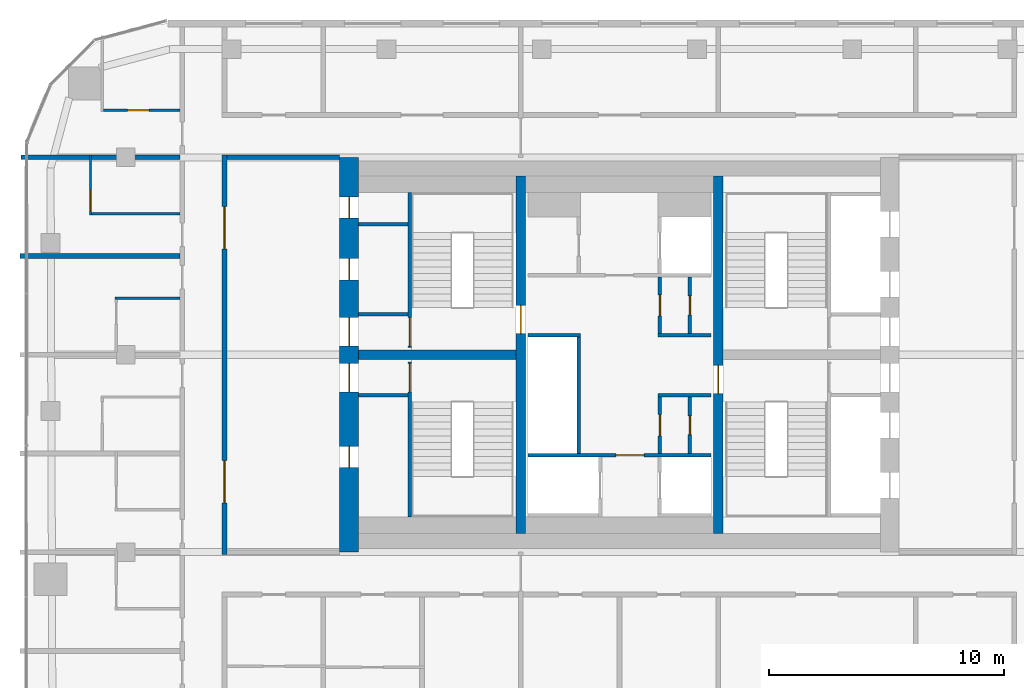
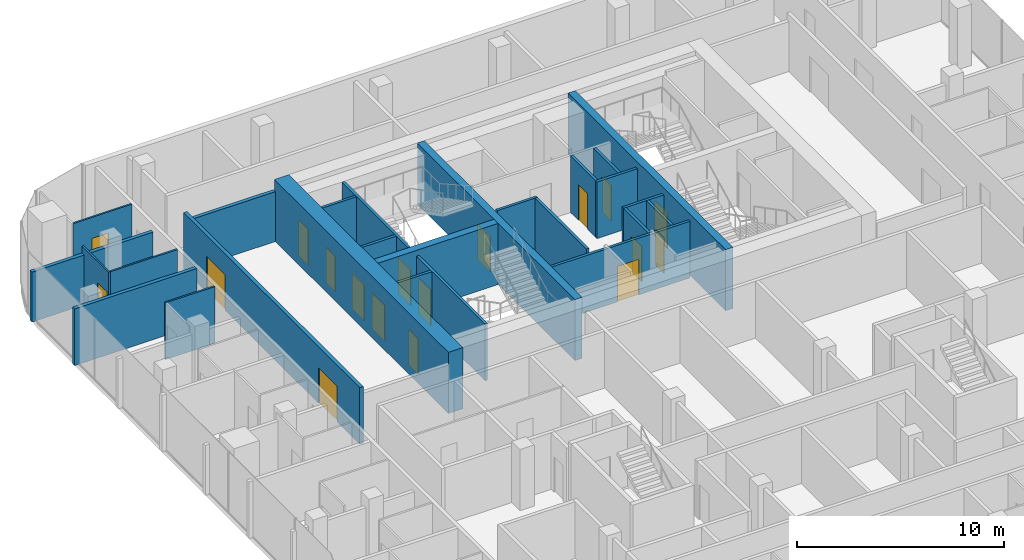
# One storey, part 18 of 22: 26 walls, 18 doors, 18 openings.
"""IFC4 building model written with IfcOpenShell, lengths in metres."""

from ifc_helpers import new_model, si_unit, direction, frame, frame_2d, origin, place, context, subcontext, project, spatial, rectangle, extrude, material, layer, layer_set, type_object, element, fill, save


model = new_model("IFC4")

# Units and contexts
model_context = context("Model", 3, precision=1e-05, world=origin(), true_north=direction((0.0, 1.0)))
body_context = subcontext(model_context, "Body", "Model", "MODEL_VIEW")
ifc_project = project(units=[si_unit("LENGTHUNIT", "METRE"), si_unit("AREAUNIT", "SQUARE_METRE"), si_unit("VOLUMEUNIT", "CUBIC_METRE"), si_unit("PLANEANGLEUNIT", "RADIAN"), si_unit("MASSUNIT", "GRAM", prefix="KILO")], contexts=[model_context])

# Site, building, storey
site_placement = place(None, origin())
site = spatial("IfcSite", under=ifc_project, at=site_placement, CompositionType="ELEMENT")
building_placement = place(site_placement, origin())
building = spatial("IfcBuilding", under=site, at=building_placement, Name="Marenta Gate Hotel Tower", CompositionType="ELEMENT")
storey_placement = place(building_placement, frame((0.0, 0.0, 187.699951171875)))
storey = spatial("IfcBuildingStorey", under=building, at=storey_placement, Name="L42", CompositionType="ELEMENT", Elevation=187.699951171875)

# Wall, openings, doors
ifc_material_1 = material(Name="Concrete blockwork", Category="masonry")
ifc_layer_1 = layer(ifc_material_1, 0.199951171875)
ifc_layer_set_1 = layer_set([ifc_layer_1], Name="Concrete blockwork")
wall_type_1 = type_object("IfcWallType", Name="Core boundary wall 200 REI 180", PredefinedType="PARTITIONING", material=ifc_layer_set_1)
wall_1_placement = place(storey_placement, frame((-16.800048828125, -0.10009765625, 0.0), z_axis=(0.0, 0.0, 1.0), x_axis=(0.0, 1.0, 0.0)))
wall_1 = element("IfcWall", 1, at=wall_1_placement, inside=storey, type_object=wall_type_1, Name="L42-CP-BW-W", PredefinedType="PARTITIONING", context=body_context, shape_type="SweptSolid", body=[
    extrude(rectangle(XDim=17.0, YDim=0.199951171875, at=frame_2d((8.5, 0.0))), origin(), (0.0, 0.0, 1.0), 3.340087890625),
])
opening_1_placement = place(wall_1_placement, frame((2.199951171875, 0.0, 0.0)))
opening_1 = element("IfcOpeningElement", 2, at=opening_1_placement, cuts=wall_1, Name="Opening ED-Wa-B", PredefinedType="OPENING", context=body_context, shape_type="SweptSolid", body=[
    extrude(rectangle(XDim=1.800048828125, YDim=2.10009765625, at=frame_2d((0.89990234375, 1.050048828125))), frame((0.0, 0.10009765625, 0.0), z_axis=(0.0, -1.0, 0.0), x_axis=(1.0, 0.0, 0.0)), (0.0, 0.0, 1.0), 0.199951171875),
])
opening_2_placement = place(wall_1_placement, frame((13.0, 0.0, 0.0)))
opening_2 = element("IfcOpeningElement", 3, at=opening_2_placement, cuts=wall_1, Name="Opening ED-Wb-B", PredefinedType="OPENING", context=body_context, shape_type="SweptSolid", body=[
    extrude(rectangle(XDim=1.800048828125, YDim=2.10009765625, at=frame_2d((0.89990234375, 1.050048828125))), frame((0.0, 0.10009765625, 0.0), z_axis=(0.0, -1.0, 0.0), x_axis=(1.0, 0.0, 0.0)), (0.0, 0.0, 1.0), 0.199951171875),
])
ifc_material_2 = material(Name="Steel", Category="steel")
door_type_1 = type_object("IfcDoorType", Name="Core lobby entrance door 1800x2100 EI 60", OperationType="DOUBLE_DOOR_SINGLE_SWING", PredefinedType="DOOR", material=ifc_material_2)
door_1_placement = place(opening_1_placement, origin())
door_1 = element("IfcDoor", 4, at=door_1_placement, inside=storey, type_object=door_type_1, Name="ED-Wa-B", OperationType="DOUBLE_DOOR_SINGLE_SWING", OverallHeight=2.10009765625, OverallWidth=1.800048828125, PredefinedType="DOOR", context=body_context, shape_type="SweptSolid", body=[
    extrude(rectangle(XDim=1.800048828125, YDim=2.10009765625, at=frame_2d((0.89990234375, 1.050048828125))), frame((0.0, 0.02490234375, 0.0), z_axis=(0.0, -1.0, 0.0), x_axis=(1.0, 0.0, 0.0)), (0.0, 0.0, 1.0), 0.050048828125),
])
fill(opening_1, door_1)
door_2_placement = place(opening_2_placement, origin())
door_2 = element("IfcDoor", 5, at=door_2_placement, inside=storey, type_object=door_type_1, Name="ED-Wb-B", OperationType="DOUBLE_DOOR_SINGLE_SWING", OverallHeight=2.10009765625, OverallWidth=1.800048828125, PredefinedType="DOOR", context=body_context, shape_type="SweptSolid", body=[
    extrude(rectangle(XDim=1.800048828125, YDim=2.10009765625, at=frame_2d((0.89990234375, 1.050048828125))), frame((0.0, 0.02490234375, 0.0), z_axis=(0.0, -1.0, 0.0), x_axis=(1.0, 0.0, 0.0)), (0.0, 0.0, 1.0), 0.050048828125),
])
fill(opening_2, door_2)

# Wall
wall_2_placement = place(storey_placement, frame((-16.699951171875, 16.800048828125, 0.0), z_axis=(0.0, 0.0, 1.0), x_axis=(1.0, 0.0, 0.0)))
element("IfcWall", 6, at=wall_2_placement, inside=storey, type_object=wall_type_1, Name="L42-CP-EW-WN", PredefinedType="PARTITIONING", context=body_context, shape_type="SweptSolid", body=[
    extrude(rectangle(XDim=4.800048828125, YDim=0.199951171875, at=frame_2d((2.39990234375, 0.0))), origin(), (0.0, 0.0, 1.0), 2.93994140625),
])

# Wall, opening, door
ifc_material_3 = material(Name="Concrete blockwork", Category="masonry")
ifc_layer_2 = layer(ifc_material_3, 0.14990234375)
ifc_layer_set_2 = layer_set([ifc_layer_2], Name="Concrete blockwork")
wall_type_2 = type_object("IfcWallType", Name="Core lobby partition 150 REI 180", PredefinedType="PARTITIONING", material=ifc_layer_set_2)
wall_3_placement = place(storey_placement, frame((-3.89990234375, 4.125, 0.0), z_axis=(0.0, 0.0, 1.0), x_axis=(1.0, 0.0, 0.0)))
wall_3 = element("IfcWall", 7, at=wall_3_placement, inside=storey, type_object=wall_type_2, Name="L42-CP-CW-S", PredefinedType="PARTITIONING", context=body_context, shape_type="SweptSolid", body=[
    extrude(rectangle(XDim=7.7998046875, YDim=0.14990234375, at=frame_2d((3.89990234375, 0.0))), origin(), (0.0, 0.0, 1.0), 3.340087890625),
])
opening_3_placement = place(wall_3_placement, frame((3.75, 0.0, 0.0)))
opening_3 = element("IfcOpeningElement", 8, at=opening_3_placement, cuts=wall_3, Name="Opening FD-FFS", PredefinedType="OPENING", context=body_context, shape_type="SweptSolid", body=[
    extrude(rectangle(XDim=1.199951171875, YDim=2.10009765625, at=frame_2d((0.60009765625, 1.050048828125))), frame((0.0, 0.074951171875, 0.0), z_axis=(0.0, -1.0, 0.0), x_axis=(1.0, 0.0, 0.0)), (0.0, 0.0, 1.0), 0.14990234375),
])
ifc_material_4 = material(Name="Steel", Category="steel")
door_type_2 = type_object("IfcDoorType", Name="Core lobby door 1200x2100 FD60", OperationType="SINGLE_SWING_LEFT", PredefinedType="DOOR", material=ifc_material_4)
door_3_placement = place(opening_3_placement, origin())
door_3 = element("IfcDoor", 9, at=door_3_placement, inside=storey, type_object=door_type_2, Name="FD-FFS", OperationType="SINGLE_SWING_LEFT", OverallHeight=2.10009765625, OverallWidth=1.199951171875, PredefinedType="DOOR", context=body_context, shape_type="SweptSolid", body=[
    extrude(rectangle(XDim=1.199951171875, YDim=2.10009765625, at=frame_2d((0.60009765625, 1.050048828125))), frame((0.0, 0.02490234375, 0.0), z_axis=(0.0, -1.0, 0.0), x_axis=(1.0, 0.0, 0.0)), (0.0, 0.0, 1.0), 0.050048828125),
])
fill(opening_3, door_3)

# Walls
ifc_material_5 = material(Name="Concrete blockwork", Category="masonry")
ifc_layer_3 = layer(ifc_material_5, 0.14990234375)
ifc_layer_set_3 = layer_set([ifc_layer_3], Name="Concrete blockwork")
wall_type_3 = type_object("IfcWallType", Name="Core room partition 150 REI 180", PredefinedType="PARTITIONING", material=ifc_layer_set_3)
for number, where, z_axis, x_axis, name in (
    (10, (-11.10009765625, 6.675048828125, 0.0), (0.0, 0.0, 1.0), (1.0, 0.0, 0.0), "L42-CP-SW-WS-2"),
    (11, (-11.10009765625, 10.125, 0.0), (0.0, 0.0, 1.0), (1.0, 0.0, 0.0), "L42-CP-SW-WN-2"),
    (12, (-11.10009765625, 13.949951171875, 0.0), (0.0, 0.0, 1.0), (1.0, 0.0, 0.0), "L42-CP-RW-WN-1"),
):
    element("IfcWall", number, at=place(storey_placement, frame(where, z_axis=z_axis, x_axis=x_axis)), inside=storey, type_object=wall_type_3, Name=name, PredefinedType="PARTITIONING", context=body_context, shape_type="SweptSolid", body=[
        extrude(rectangle(XDim=2.10009765625, YDim=0.14990234375, at=frame_2d((1.050048828125, 0.0))), origin(), (0.0, 0.0, 1.0), 3.340087890625),
    ])
for number, where, z_axis, x_axis, name in (
    (13, (1.64990234375, 6.675048828125, 0.0), (0.0, 0.0, 1.0), (1.0, 0.0, 0.0), "L42-CP-CE-sep1"),
    (14, (1.64990234375, 9.22509765625, 0.0), (0.0, 0.0, 1.0), (1.0, 0.0, 0.0), "L42-CP-CE-sep2"),
):
    element("IfcWall", number, at=place(storey_placement, frame(where, z_axis=z_axis, x_axis=x_axis)), inside=storey, type_object=wall_type_3, Name=name, PredefinedType="PARTITIONING", context=body_context, shape_type="SweptSolid", body=[
        extrude(rectangle(XDim=2.25, YDim=0.14990234375, at=frame_2d((1.125, 0.0))), origin(), (0.0, 0.0, 1.0), 3.340087890625),
    ])

# Wall, opening, door
wall_4_placement = place(storey_placement, frame((1.72509765625, 4.199951171875, 0.0), z_axis=(0.0, 0.0, 1.0), x_axis=(0.0, 1.0, 0.0)))
wall_4 = element("IfcWall", 15, at=wall_4_placement, inside=storey, type_object=wall_type_3, Name="L42-CP-CE-front-1", PredefinedType="PARTITIONING", context=body_context, shape_type="SweptSolid", body=[
    extrude(rectangle(XDim=2.400146484375, YDim=0.14990234375, at=frame_2d((1.2001953125, 0.0))), origin(), (0.0, 0.0, 1.0), 3.340087890625),
])
opening_4_placement = place(wall_4_placement, frame((0.75, 0.0, 0.0)))
opening_4 = element("IfcOpeningElement", 16, at=opening_4_placement, cuts=wall_4, Name="Opening RD-CE-1a", PredefinedType="OPENING", context=body_context, shape_type="SweptSolid", body=[
    extrude(rectangle(XDim=0.89990234375, YDim=2.10009765625, at=frame_2d((0.449951171875, 1.050048828125))), frame((0.0, 0.074951171875, 0.0), z_axis=(0.0, -1.0, 0.0), x_axis=(1.0, 0.0, 0.0)), (0.0, 0.0, 1.0), 0.14990234375),
])
ifc_material_6 = material(Name="Steel", Category="steel")
door_type_3 = type_object("IfcDoorType", Name="Core service room door 900x2100 FD30S", OperationType="SINGLE_SWING_LEFT", PredefinedType="DOOR", material=ifc_material_6)
door_4_placement = place(opening_4_placement, origin())
door_4 = element("IfcDoor", 17, at=door_4_placement, inside=storey, type_object=door_type_3, Name="RD-CE-1a", OperationType="SINGLE_SWING_LEFT", OverallHeight=2.10009765625, OverallWidth=0.89990234375, PredefinedType="DOOR", context=body_context, shape_type="SweptSolid", body=[
    extrude(rectangle(XDim=0.89990234375, YDim=2.10009765625, at=frame_2d((0.449951171875, 1.050048828125))), frame((0.0, 0.02490234375, 0.0), z_axis=(0.0, -1.0, 0.0), x_axis=(1.0, 0.0, 0.0)), (0.0, 0.0, 1.0), 0.050048828125),
])
fill(opening_4, door_4)

wall_5_placement = place(storey_placement, frame((1.72509765625, 9.300048828125, 0.0), z_axis=(0.0, 0.0, 1.0), x_axis=(0.0, 1.0, 0.0)))
wall_5 = element("IfcWall", 18, at=wall_5_placement, inside=storey, type_object=wall_type_3, Name="L42-CP-CE-front-2", PredefinedType="PARTITIONING", context=body_context, shape_type="SweptSolid", body=[
    extrude(rectangle(XDim=2.39990234375, YDim=0.14990234375, at=frame_2d((1.199951171875, 0.0))), origin(), (0.0, 0.0, 1.0), 3.340087890625),
])
opening_5_placement = place(wall_5_placement, frame((0.75, 0.0, 0.0)))
opening_5 = element("IfcOpeningElement", 19, at=opening_5_placement, cuts=wall_5, Name="Opening RD-CE-2a", PredefinedType="OPENING", context=body_context, shape_type="SweptSolid", body=[
    extrude(rectangle(XDim=0.89990234375, YDim=2.10009765625, at=frame_2d((0.449951171875, 1.050048828125))), frame((0.0, 0.074951171875, 0.0), z_axis=(0.0, -1.0, 0.0), x_axis=(1.0, 0.0, 0.0)), (0.0, 0.0, 1.0), 0.14990234375),
])
door_5_placement = place(opening_5_placement, origin())
door_5 = element("IfcDoor", 20, at=door_5_placement, inside=storey, type_object=door_type_3, Name="RD-CE-2a", OperationType="SINGLE_SWING_LEFT", OverallHeight=2.10009765625, OverallWidth=0.89990234375, PredefinedType="DOOR", context=body_context, shape_type="SweptSolid", body=[
    extrude(rectangle(XDim=0.89990234375, YDim=2.10009765625, at=frame_2d((0.449951171875, 1.050048828125))), frame((0.0, 0.02490234375, 0.0), z_axis=(0.0, -1.0, 0.0), x_axis=(1.0, 0.0, 0.0)), (0.0, 0.0, 1.0), 0.050048828125),
])
fill(opening_5, door_5)

wall_6_placement = place(storey_placement, frame((3.0, 4.199951171875, 0.0), z_axis=(0.0, 0.0, 1.0), x_axis=(0.0, 1.0, 0.0)))
wall_6 = element("IfcWall", 21, at=wall_6_placement, inside=storey, type_object=wall_type_3, Name="L42-CP-CE-RW-1", PredefinedType="PARTITIONING", context=body_context, shape_type="SweptSolid", body=[
    extrude(rectangle(XDim=2.400146484375, YDim=0.14990234375, at=frame_2d((1.2001953125, 0.0))), origin(), (0.0, 0.0, 1.0), 3.340087890625),
])
opening_6_placement = place(wall_6_placement, frame((0.800048828125, 0.0, 0.0)))
opening_6 = element("IfcOpeningElement", 22, at=opening_6_placement, cuts=wall_6, Name="Opening RD-CE-1b-A", PredefinedType="OPENING", context=body_context, shape_type="SweptSolid", body=[
    extrude(rectangle(XDim=0.800048828125, YDim=2.10009765625, at=frame_2d((0.39990234375, 1.050048828125))), frame((0.0, 0.074951171875, 0.0), z_axis=(0.0, -1.0, 0.0), x_axis=(1.0, 0.0, 0.0)), (0.0, 0.0, 1.0), 0.14990234375),
])
ifc_material_7 = material(Name="Steel", Category="steel")
door_type_4 = type_object("IfcDoorType", Name="Core riser door 800x2100 FD60", OperationType="SINGLE_SWING_LEFT", PredefinedType="DOOR", material=ifc_material_7)
door_6_placement = place(opening_6_placement, origin())
door_6 = element("IfcDoor", 23, at=door_6_placement, inside=storey, type_object=door_type_4, Name="RD-CE-1b-A", OperationType="SINGLE_SWING_LEFT", OverallHeight=2.10009765625, OverallWidth=0.800048828125, PredefinedType="DOOR", context=body_context, shape_type="SweptSolid", body=[
    extrude(rectangle(XDim=0.800048828125, YDim=2.10009765625, at=frame_2d((0.39990234375, 1.050048828125))), frame((0.0, 0.02490234375, 0.0), z_axis=(0.0, -1.0, 0.0), x_axis=(1.0, 0.0, 0.0)), (0.0, 0.0, 1.0), 0.050048828125),
])
fill(opening_6, door_6)

wall_7_placement = place(storey_placement, frame((3.0, 9.300048828125, 0.0), z_axis=(0.0, 0.0, 1.0), x_axis=(0.0, 1.0, 0.0)))
wall_7 = element("IfcWall", 24, at=wall_7_placement, inside=storey, type_object=wall_type_3, Name="L42-CP-CE-RW-2", PredefinedType="PARTITIONING", context=body_context, shape_type="SweptSolid", body=[
    extrude(rectangle(XDim=2.39990234375, YDim=0.14990234375, at=frame_2d((1.199951171875, 0.0))), origin(), (0.0, 0.0, 1.0), 3.340087890625),
])
opening_7_placement = place(wall_7_placement, frame((0.800048828125, 0.0, 0.0)))
opening_7 = element("IfcOpeningElement", 25, at=opening_7_placement, cuts=wall_7, Name="Opening RD-CE-2b-A", PredefinedType="OPENING", context=body_context, shape_type="SweptSolid", body=[
    extrude(rectangle(XDim=0.800048828125, YDim=2.10009765625, at=frame_2d((0.39990234375, 1.050048828125))), frame((0.0, 0.074951171875, 0.0), z_axis=(0.0, -1.0, 0.0), x_axis=(1.0, 0.0, 0.0)), (0.0, 0.0, 1.0), 0.14990234375),
])
door_7_placement = place(opening_7_placement, origin())
door_7 = element("IfcDoor", 26, at=door_7_placement, inside=storey, type_object=door_type_4, Name="RD-CE-2b-A", OperationType="SINGLE_SWING_LEFT", OverallHeight=2.10009765625, OverallWidth=0.800048828125, PredefinedType="DOOR", context=body_context, shape_type="SweptSolid", body=[
    extrude(rectangle(XDim=0.800048828125, YDim=2.10009765625, at=frame_2d((0.39990234375, 1.050048828125))), frame((0.0, 0.02490234375, 0.0), z_axis=(0.0, -1.0, 0.0), x_axis=(1.0, 0.0, 0.0)), (0.0, 0.0, 1.0), 0.050048828125),
])
fill(opening_7, door_7)

# Walls
ifc_material_8 = material(Name="Concrete C40", Category="concrete")
ifc_layer_4 = layer(ifc_material_8, 0.14990234375)
ifc_layer_set_4 = layer_set([ifc_layer_4], Name="Concrete C40")
wall_type_4 = type_object("IfcWallType", Name="Core shaft wall 150 REI 180", PredefinedType="SHEAR", material=ifc_layer_set_4)
wall_8_placement = place(storey_placement, frame((-1.72509765625, 4.199951171875, 0.0), z_axis=(0.0, 0.0, 1.0), x_axis=(0.0, 1.0, 0.0)))
element("IfcWall", 27, at=wall_8_placement, inside=storey, type_object=wall_type_4, Name="L42-SHF-CW-W-front", PredefinedType="SHEAR", context=body_context, shape_type="SweptSolid", body=[
    extrude(rectangle(XDim=4.949951171875, YDim=0.14990234375, at=frame_2d((2.47509765625, 0.0))), origin(), (0.0, 0.0, 1.0), 3.60009765625),
])
wall_9_placement = place(storey_placement, frame((-3.89990234375, 9.22509765625, 0.0), z_axis=(0.0, 0.0, 1.0), x_axis=(1.0, 0.0, 0.0)))
element("IfcWall", 28, at=wall_9_placement, inside=storey, type_object=wall_type_4, Name="L42-SHF-CW-W-sep", PredefinedType="SHEAR", context=body_context, shape_type="SweptSolid", body=[
    extrude(rectangle(XDim=2.25, YDim=0.14990234375, at=frame_2d((1.125, 0.0))), origin(), (0.0, 0.0, 1.0), 3.60009765625),
])

# Wall, opening, door
ifc_material_9 = material(Name="Concrete C40", Category="concrete")
ifc_layer_5 = layer(ifc_material_9, 0.14990234375)
ifc_layer_set_5 = layer_set([ifc_layer_5], Name="Concrete C40")
wall_type_5 = type_object("IfcWallType", Name="Core stair enclosure wall 150 REI 180", PredefinedType="SHEAR", material=ifc_layer_set_5)
wall_10_placement = place(storey_placement, frame((-8.925048828125, 1.5, 0.0), z_axis=(0.0, 0.0, 1.0), x_axis=(0.0, 1.0, 0.0)))
wall_10 = element("IfcWall", 29, at=wall_10_placement, inside=storey, type_object=wall_type_5, Name="L42-SHF-SW-WS-3", PredefinedType="SHEAR", context=body_context, shape_type="SweptSolid", body=[
    extrude(rectangle(XDim=6.60009765625, YDim=0.14990234375, at=frame_2d((3.300048828125, 0.0))), origin(), (0.0, 0.0, 1.0), 3.340087890625),
])
opening_8_placement = place(wall_10_placement, frame((5.324951171875, 0.0, 0.0)))
opening_8 = element("IfcOpeningElement", 30, at=opening_8_placement, cuts=wall_10, Name="Opening SD-WS", PredefinedType="OPENING", context=body_context, shape_type="SweptSolid", body=[
    extrude(rectangle(XDim=1.199951171875, YDim=2.10009765625, at=frame_2d((0.60009765625, 1.050048828125))), frame((0.0, 0.074951171875, 0.0), z_axis=(0.0, -1.0, 0.0), x_axis=(1.0, 0.0, 0.0)), (0.0, 0.0, 1.0), 0.14990234375),
])
ifc_material_10 = material(Name="Steel", Category="steel")
door_type_5 = type_object("IfcDoorType", Name="Core stair door 1200x2100 FD60", OperationType="SINGLE_SWING_LEFT", PredefinedType="DOOR", material=ifc_material_10)
door_8_placement = place(opening_8_placement, origin())
door_8 = element("IfcDoor", 31, at=door_8_placement, inside=storey, type_object=door_type_5, Name="SD-WS", OperationType="SINGLE_SWING_LEFT", OverallHeight=2.10009765625, OverallWidth=1.199951171875, PredefinedType="DOOR", context=body_context, shape_type="SweptSolid", body=[
    extrude(rectangle(XDim=1.199951171875, YDim=2.10009765625, at=frame_2d((0.60009765625, 1.050048828125))), frame((0.0, 0.02490234375, 0.0), z_axis=(0.0, -1.0, 0.0), x_axis=(1.0, 0.0, 0.0)), (0.0, 0.0, 1.0), 0.050048828125),
])
fill(opening_8, door_8)

wall_11_placement = place(storey_placement, frame((-8.925048828125, 8.699951171875, 0.0), z_axis=(0.0, 0.0, 1.0), x_axis=(0.0, 1.0, 0.0)))
wall_11 = element("IfcWall", 32, at=wall_11_placement, inside=storey, type_object=wall_type_5, Name="L42-SHF-SW-WN-3", PredefinedType="SHEAR", context=body_context, shape_type="SweptSolid", body=[
    extrude(rectangle(XDim=6.60009765625, YDim=0.14990234375, at=frame_2d((3.300048828125, 0.0))), origin(), (0.0, 0.0, 1.0), 3.340087890625),
])
opening_9_placement = place(wall_11_placement, frame((0.074951171875, 0.0, 0.0)))
opening_9 = element("IfcOpeningElement", 33, at=opening_9_placement, cuts=wall_11, Name="Opening SD-WN", PredefinedType="OPENING", context=body_context, shape_type="SweptSolid", body=[
    extrude(rectangle(XDim=1.199951171875, YDim=2.10009765625, at=frame_2d((0.60009765625, 1.050048828125))), frame((0.0, 0.074951171875, 0.0), z_axis=(0.0, -1.0, 0.0), x_axis=(1.0, 0.0, 0.0)), (0.0, 0.0, 1.0), 0.14990234375),
])
door_9_placement = place(opening_9_placement, origin())
door_9 = element("IfcDoor", 34, at=door_9_placement, inside=storey, type_object=door_type_5, Name="SD-WN", OperationType="SINGLE_SWING_LEFT", OverallHeight=2.10009765625, OverallWidth=1.199951171875, PredefinedType="DOOR", context=body_context, shape_type="SweptSolid", body=[
    extrude(rectangle(XDim=1.199951171875, YDim=2.10009765625, at=frame_2d((0.60009765625, 1.050048828125))), frame((0.0, 0.02490234375, 0.0), z_axis=(0.0, -1.0, 0.0), x_axis=(1.0, 0.0, 0.0)), (0.0, 0.0, 1.0), 0.050048828125),
])
fill(opening_9, door_9)

# Wall, openings, doors
ifc_material_11 = material(Name="Concrete C60", Category="concrete")
ifc_layer_6 = layer(ifc_material_11, 0.800048828125)
ifc_layer_set_6 = layer_set([ifc_layer_6], Name="Concrete C60")
wall_type_6 = type_object("IfcWallType", Name="Core wall 800 C60", PredefinedType="SHEAR", material=ifc_layer_set_6)
wall_12_placement = place(storey_placement, frame((-11.5, 0.0, 0.0), z_axis=(0.0, 0.0, 1.0), x_axis=(0.0, 1.0, 0.0)))
wall_12 = element("IfcWall", 35, at=wall_12_placement, inside=storey, type_object=wall_type_6, Name="L42-CORE-W", PredefinedType="SHEAR", context=body_context, shape_type="SweptSolid", body=[
    extrude(rectangle(XDim=16.800048828125, YDim=0.800048828125, at=frame_2d((8.39990234375, 0.0))), origin(), (0.0, 0.0, 1.0), 3.60009765625),
])
opening_10_placement = place(wall_12_placement, frame((3.60009765625, 0.0, 0.0)))
opening_10 = element("IfcOpeningElement", 36, at=opening_10_placement, cuts=wall_12, Name="Opening RD-WS-1", PredefinedType="OPENING", context=body_context, shape_type="SweptSolid", body=[
    extrude(rectangle(XDim=0.89990234375, YDim=2.10009765625, at=frame_2d((0.449951171875, 1.050048828125))), frame((0.0, 0.39990234375, 0.0), z_axis=(0.0, -1.0, 0.0), x_axis=(1.0, 0.0, 0.0)), (0.0, 0.0, 1.0), 0.800048828125),
])
opening_11_placement = place(wall_12_placement, frame((6.824951171875, 0.0, 0.0)))
opening_11 = element("IfcOpeningElement", 37, at=opening_11_placement, cuts=wall_12, Name="Opening PD-WS", PredefinedType="OPENING", context=body_context, shape_type="SweptSolid", body=[
    extrude(rectangle(XDim=1.199951171875, YDim=2.10009765625, at=frame_2d((0.60009765625, 1.050048828125))), frame((0.0, 0.39990234375, 0.0), z_axis=(0.0, -1.0, 0.0), x_axis=(1.0, 0.0, 0.0)), (0.0, 0.0, 1.0), 0.800048828125),
])
opening_12_placement = place(wall_12_placement, frame((14.21240234375, 0.0, 0.0)))
opening_12 = element("IfcOpeningElement", 38, at=opening_12_placement, cuts=wall_12, Name="Opening RD-WN-1", PredefinedType="OPENING", context=body_context, shape_type="SweptSolid", body=[
    extrude(rectangle(XDim=0.89990234375, YDim=2.10009765625, at=frame_2d((0.449951171875, 1.050048828125))), frame((0.0, 0.39990234375, 0.0), z_axis=(0.0, -1.0, 0.0), x_axis=(1.0, 0.0, 0.0)), (0.0, 0.0, 1.0), 0.800048828125),
])
opening_13_placement = place(wall_12_placement, frame((11.58740234375, 0.0, 0.0)))
opening_13 = element("IfcOpeningElement", 39, at=opening_13_placement, cuts=wall_12, Name="Opening RD-WN-2", PredefinedType="OPENING", context=body_context, shape_type="SweptSolid", body=[
    extrude(rectangle(XDim=0.89990234375, YDim=2.10009765625, at=frame_2d((0.449951171875, 1.050048828125))), frame((0.0, 0.39990234375, 0.0), z_axis=(0.0, -1.0, 0.0), x_axis=(1.0, 0.0, 0.0)), (0.0, 0.0, 1.0), 0.800048828125),
])
opening_14_placement = place(wall_12_placement, frame((8.77490234375, 0.0, 0.0)))
opening_14 = element("IfcOpeningElement", 40, at=opening_14_placement, cuts=wall_12, Name="Opening PD-WN", PredefinedType="OPENING", context=body_context, shape_type="SweptSolid", body=[
    extrude(rectangle(XDim=1.199951171875, YDim=2.10009765625, at=frame_2d((0.60009765625, 1.050048828125))), frame((0.0, 0.39990234375, 0.0), z_axis=(0.0, -1.0, 0.0), x_axis=(1.0, 0.0, 0.0)), (0.0, 0.0, 1.0), 0.800048828125),
])
door_10_placement = place(opening_11_placement, origin())
door_10 = element("IfcDoor", 41, at=door_10_placement, inside=storey, type_object=door_type_2, Name="PD-WS", OperationType="SINGLE_SWING_LEFT", OverallHeight=2.10009765625, OverallWidth=1.199951171875, PredefinedType="DOOR", context=body_context, shape_type="SweptSolid", body=[
    extrude(rectangle(XDim=1.199951171875, YDim=2.10009765625, at=frame_2d((0.60009765625, 1.050048828125))), frame((0.0, 0.02490234375, 0.0), z_axis=(0.0, -1.0, 0.0), x_axis=(1.0, 0.0, 0.0)), (0.0, 0.0, 1.0), 0.050048828125),
])
fill(opening_11, door_10)
door_11_placement = place(opening_14_placement, origin())
door_11 = element("IfcDoor", 42, at=door_11_placement, inside=storey, type_object=door_type_2, Name="PD-WN", OperationType="SINGLE_SWING_LEFT", OverallHeight=2.10009765625, OverallWidth=1.199951171875, PredefinedType="DOOR", context=body_context, shape_type="SweptSolid", body=[
    extrude(rectangle(XDim=1.199951171875, YDim=2.10009765625, at=frame_2d((0.60009765625, 1.050048828125))), frame((0.0, 0.02490234375, 0.0), z_axis=(0.0, -1.0, 0.0), x_axis=(1.0, 0.0, 0.0)), (0.0, 0.0, 1.0), 0.050048828125),
])
fill(opening_14, door_11)
door_12_placement = place(opening_10_placement, origin())
door_12 = element("IfcDoor", 43, at=door_12_placement, inside=storey, type_object=door_type_3, Name="RD-WS-1", OperationType="SINGLE_SWING_LEFT", OverallHeight=2.10009765625, OverallWidth=0.89990234375, PredefinedType="DOOR", context=body_context, shape_type="SweptSolid", body=[
    extrude(rectangle(XDim=0.89990234375, YDim=2.10009765625, at=frame_2d((0.449951171875, 1.050048828125))), frame((0.0, 0.02490234375, 0.0), z_axis=(0.0, -1.0, 0.0), x_axis=(1.0, 0.0, 0.0)), (0.0, 0.0, 1.0), 0.050048828125),
])
fill(opening_10, door_12)
door_13_placement = place(opening_12_placement, origin())
door_13 = element("IfcDoor", 44, at=door_13_placement, inside=storey, type_object=door_type_3, Name="RD-WN-1", OperationType="SINGLE_SWING_LEFT", OverallHeight=2.10009765625, OverallWidth=0.89990234375, PredefinedType="DOOR", context=body_context, shape_type="SweptSolid", body=[
    extrude(rectangle(XDim=0.89990234375, YDim=2.10009765625, at=frame_2d((0.449951171875, 1.050048828125))), frame((0.0, 0.02490234375, 0.0), z_axis=(0.0, -1.0, 0.0), x_axis=(1.0, 0.0, 0.0)), (0.0, 0.0, 1.0), 0.050048828125),
])
fill(opening_12, door_13)
door_14_placement = place(opening_13_placement, origin())
door_14 = element("IfcDoor", 45, at=door_14_placement, inside=storey, type_object=door_type_3, Name="RD-WN-2", OperationType="SINGLE_SWING_LEFT", OverallHeight=2.10009765625, OverallWidth=0.89990234375, PredefinedType="DOOR", context=body_context, shape_type="SweptSolid", body=[
    extrude(rectangle(XDim=0.89990234375, YDim=2.10009765625, at=frame_2d((0.449951171875, 1.050048828125))), frame((0.0, 0.02490234375, 0.0), z_axis=(0.0, -1.0, 0.0), x_axis=(1.0, 0.0, 0.0)), (0.0, 0.0, 1.0), 0.050048828125),
])
fill(opening_13, door_14)

# Wall, opening, door
ifc_material_12 = material(Name="Concrete C60", Category="concrete")
ifc_layer_7 = layer(ifc_material_12, 0.39990234375)
ifc_layer_set_7 = layer_set([ifc_layer_7], Name="Concrete C60")
wall_type_7 = type_object("IfcWallType", Name="Core web 400 C60", PredefinedType="SHEAR", material=ifc_layer_set_7)
wall_13_placement = place(storey_placement, frame((-4.199951171875, 0.800048828125, 0.0), z_axis=(0.0, 0.0, 1.0), x_axis=(0.0, 1.0, 0.0)))
wall_13 = element("IfcWall", 46, at=wall_13_placement, inside=storey, type_object=wall_type_7, Name="L42-CORE-W1", PredefinedType="SHEAR", context=body_context, shape_type="SweptSolid", body=[
    extrude(rectangle(XDim=15.199951171875, YDim=0.39990234375, at=frame_2d((7.60009765625, 0.0))), origin(), (0.0, 0.0, 1.0), 3.60009765625),
])
opening_15_placement = place(wall_13_placement, frame((8.5, 0.0, 0.0)))
opening_15 = element("IfcOpeningElement", 47, at=opening_15_placement, cuts=wall_13, Name="Opening WD-W", PredefinedType="OPENING", context=body_context, shape_type="SweptSolid", body=[
    extrude(rectangle(XDim=1.199951171875, YDim=2.10009765625, at=frame_2d((0.60009765625, 1.050048828125))), frame((0.0, 0.199951171875, 0.0), z_axis=(0.0, -1.0, 0.0), x_axis=(1.0, 0.0, 0.0)), (0.0, 0.0, 1.0), 0.39990234375),
])
door_15_placement = place(opening_15_placement, origin())
door_15 = element("IfcDoor", 48, at=door_15_placement, inside=storey, type_object=door_type_5, Name="WD-W", OperationType="SINGLE_SWING_LEFT", OverallHeight=2.10009765625, OverallWidth=1.199951171875, PredefinedType="DOOR", context=body_context, shape_type="SweptSolid", body=[
    extrude(rectangle(XDim=1.199951171875, YDim=2.10009765625, at=frame_2d((0.60009765625, 1.050048828125))), frame((0.0, 0.02490234375, 0.0), z_axis=(0.0, -1.0, 0.0), x_axis=(1.0, 0.0, 0.0)), (0.0, 0.0, 1.0), 0.050048828125),
])
fill(opening_15, door_15)

wall_14_placement = place(storey_placement, frame((4.199951171875, 0.800048828125, 0.0), z_axis=(0.0, 0.0, 1.0), x_axis=(0.0, 1.0, 0.0)))
wall_14 = element("IfcWall", 49, at=wall_14_placement, inside=storey, type_object=wall_type_7, Name="L42-CORE-W2", PredefinedType="SHEAR", context=body_context, shape_type="SweptSolid", body=[
    extrude(rectangle(XDim=15.199951171875, YDim=0.39990234375, at=frame_2d((7.60009765625, 0.0))), origin(), (0.0, 0.0, 1.0), 3.60009765625),
])
opening_16_placement = place(wall_14_placement, frame((5.949951171875, 0.0, 0.0)))
opening_16 = element("IfcOpeningElement", 50, at=opening_16_placement, cuts=wall_14, Name="Opening WD-E", PredefinedType="OPENING", context=body_context, shape_type="SweptSolid", body=[
    extrude(rectangle(XDim=1.199951171875, YDim=2.10009765625, at=frame_2d((0.60009765625, 1.050048828125))), frame((0.0, 0.199951171875, 0.0), z_axis=(0.0, -1.0, 0.0), x_axis=(1.0, 0.0, 0.0)), (0.0, 0.0, 1.0), 0.39990234375),
])
door_16_placement = place(opening_16_placement, origin())
door_16 = element("IfcDoor", 51, at=door_16_placement, inside=storey, type_object=door_type_5, Name="WD-E", OperationType="SINGLE_SWING_LEFT", OverallHeight=2.10009765625, OverallWidth=1.199951171875, PredefinedType="DOOR", context=body_context, shape_type="SweptSolid", body=[
    extrude(rectangle(XDim=1.199951171875, YDim=2.10009765625, at=frame_2d((0.60009765625, 1.050048828125))), frame((0.0, 0.02490234375, 0.0), z_axis=(0.0, -1.0, 0.0), x_axis=(1.0, 0.0, 0.0)), (0.0, 0.0, 1.0), 0.050048828125),
])
fill(opening_16, door_16)

# Walls
wall_15_placement = place(storey_placement, frame((-11.10009765625, 8.39990234375, 0.0), z_axis=(0.0, 0.0, 1.0), x_axis=(1.0, 0.0, 0.0)))
element("IfcWall", 52, at=wall_15_placement, inside=storey, type_object=wall_type_7, Name="L42-CORE-W3", PredefinedType="SHEAR", context=body_context, shape_type="SweptSolid", body=[
    extrude(rectangle(XDim=6.7001953125, YDim=0.39990234375, at=frame_2d((3.35009765625, 0.0))), origin(), (0.0, 0.0, 1.0), 3.60009765625),
])
ifc_material_13 = material(Name="Gypsum board on steel stud", Category="steel")
ifc_layer_8 = layer(ifc_material_13, 0.10009765625)
ifc_layer_set_8 = layer_set([ifc_layer_8], Name="Gypsum board on steel stud")
wall_type_8 = type_object("IfcWallType", Name="Room partition 100", PredefinedType="PARTITIONING", material=ifc_layer_set_8)
wall_16_placement = place(storey_placement, frame((-21.449951171875, 10.800048828125, 0.0), z_axis=(0.0, 0.0, 1.0), x_axis=(1.0, 0.0, 0.0)))
element("IfcWall", 53, at=wall_16_placement, inside=storey, type_object=wall_type_8, Name="L42-PTN-W097", PredefinedType="PARTITIONING", context=body_context, shape_type="SweptSolid", body=[
    extrude(rectangle(XDim=2.75, YDim=0.10009765625, at=frame_2d((1.375, 0.0))), origin(), (0.0, 0.0, 1.0), 3.340087890625),
])
wall_17_placement = place(storey_placement, frame((-22.449951171875, 14.39990234375, 0.0), z_axis=(0.0, 0.0, 1.0), x_axis=(1.0, 0.0, 0.0)))
element("IfcWall", 54, at=wall_17_placement, inside=storey, type_object=wall_type_8, Name="L42-PTN-W104", PredefinedType="PARTITIONING", context=body_context, shape_type="SweptSolid", body=[
    extrude(rectangle(XDim=3.75, YDim=0.10009765625, at=frame_2d((1.875, 0.0))), origin(), (0.0, 0.0, 1.0), 3.340087890625),
])

# Wall, opening, door
wall_18_placement = place(storey_placement, frame((-21.949951171875, 18.800048828125, 0.0), z_axis=(0.0, 0.0, 1.0), x_axis=(1.0, 0.0, 0.0)))
wall_18 = element("IfcWall", 55, at=wall_18_placement, inside=storey, type_object=wall_type_8, Name="L42-PTN-W114", PredefinedType="PARTITIONING", context=body_context, shape_type="SweptSolid", body=[
    extrude(rectangle(XDim=3.25, YDim=0.10009765625, at=frame_2d((1.625, 0.0))), origin(), (0.0, 0.0, 1.0), 3.340087890625),
])
opening_17_placement = place(wall_18_placement, frame((1.030029296875, 0.0, 0.0)))
opening_17 = element("IfcOpeningElement", 56, at=opening_17_placement, cuts=wall_18, Name="Opening G15-75", PredefinedType="OPENING", context=body_context, shape_type="SweptSolid", body=[
    extrude(rectangle(XDim=0.89990234375, YDim=2.10009765625, at=frame_2d((0.449951171875, 1.050048828125))), frame((0.0, 0.050048828125, 0.0), z_axis=(0.0, -1.0, 0.0), x_axis=(1.0, 0.0, 0.0)), (0.0, 0.0, 1.0), 0.10009765625),
])
ifc_material_14 = material(Name="Timber door leaf", Category="wood")
door_type_6 = type_object("IfcDoorType", Name="Guest bathroom door 900x2100", OperationType="NOTDEFINED", PredefinedType="DOOR", material=ifc_material_14)
door_17_placement = place(opening_17_placement, origin())
door_17 = element("IfcDoor", 57, at=door_17_placement, inside=storey, type_object=door_type_6, Name="L42-PD-D075", OperationType="SINGLE_SWING_LEFT", OverallHeight=2.10009765625, OverallWidth=0.89990234375, PredefinedType="DOOR", context=body_context, shape_type="SweptSolid", body=[
    extrude(rectangle(XDim=0.89990234375, YDim=2.10009765625, at=frame_2d((0.449951171875, 1.050048828125))), frame((0.0, 0.02490234375, 0.0), z_axis=(0.0, -1.0, 0.0), x_axis=(1.0, 0.0, 0.0)), (0.0, 0.0, 1.0), 0.050048828125),
])
fill(opening_17, door_17)

wall_19_placement = place(storey_placement, frame((-22.5, 14.35009765625, 0.0), z_axis=(0.0, 0.0, 1.0), x_axis=(0.0, 1.0, 0.0)))
wall_19 = element("IfcWall", 58, at=wall_19_placement, inside=storey, type_object=wall_type_8, Name="L42-PTN-W126", PredefinedType="PARTITIONING", context=body_context, shape_type="SweptSolid", body=[
    extrude(rectangle(XDim=2.5498046875, YDim=0.10009765625, at=frame_2d((1.27490234375, 0.0))), origin(), (0.0, 0.0, 1.0), 3.340087890625),
])
opening_18_placement = place(wall_19_placement, frame((0.14990234375, 0.0, 0.0)))
opening_18 = element("IfcOpeningElement", 59, at=opening_18_placement, cuts=wall_19, Name="Opening G15-73", PredefinedType="OPENING", context=body_context, shape_type="SweptSolid", body=[
    extrude(rectangle(XDim=0.89990234375, YDim=2.10009765625, at=frame_2d((0.449951171875, 1.050048828125))), frame((0.0, 0.050048828125, 0.0), z_axis=(0.0, -1.0, 0.0), x_axis=(1.0, 0.0, 0.0)), (0.0, 0.0, 1.0), 0.10009765625),
])
door_18_placement = place(opening_18_placement, origin())
door_18 = element("IfcDoor", 60, at=door_18_placement, inside=storey, type_object=door_type_6, Name="L42-PD-D073", OperationType="SINGLE_SWING_RIGHT", OverallHeight=2.10009765625, OverallWidth=0.89990234375, PredefinedType="DOOR", context=body_context, shape_type="SweptSolid", body=[
    extrude(rectangle(XDim=0.89990234375, YDim=2.10009765625, at=frame_2d((0.449951171875, 1.050048828125))), frame((0.0, 0.02490234375, 0.0), z_axis=(0.0, -1.0, 0.0), x_axis=(1.0, 0.0, 0.0)), (0.0, 0.0, 1.0), 0.050048828125),
])
fill(opening_18, door_18)

# Walls
ifc_material_15 = material(Name="Gypsum board on steel stud", Category="steel")
ifc_layer_9 = layer(ifc_material_15, 0.199951171875)
ifc_layer_set_9 = layer_set([ifc_layer_9], Name="Gypsum board on steel stud")
wall_type_9 = type_object("IfcWallType", Name="Room party wall 200 EI 60", PredefinedType="PARTITIONING", material=ifc_layer_set_9)
wall_20_placement = place(storey_placement, frame((-25.5, 12.60009765625, 0.0), z_axis=(0.0, 0.0, 1.0), x_axis=(1.0, 0.0, 0.0)))
element("IfcWall", 61, at=wall_20_placement, inside=storey, type_object=wall_type_9, Name="L42-PTN-W103", PredefinedType="PARTITIONING", context=body_context, shape_type="SweptSolid", body=[
    extrude(rectangle(XDim=6.800048828125, YDim=0.199951171875, at=frame_2d((3.39990234375, 0.0))), origin(), (0.0, 0.0, 1.0), 3.340087890625),
])
wall_21_placement = place(storey_placement, frame((-25.447021484375, 16.800048828125, 0.0), z_axis=(0.0, 0.0, 1.0), x_axis=(1.0, 0.0, 0.0)))
element("IfcWall", 62, at=wall_21_placement, inside=storey, type_object=wall_type_9, Name="L42-PTN-W110", PredefinedType="PARTITIONING", context=body_context, shape_type="SweptSolid", body=[
    extrude(rectangle(XDim=6.7470703125, YDim=0.199951171875, at=frame_2d((3.37353515625, 0.0))), origin(), (0.0, 0.0, 1.0), 2.93994140625),
])

save(model, "model.ifc")
